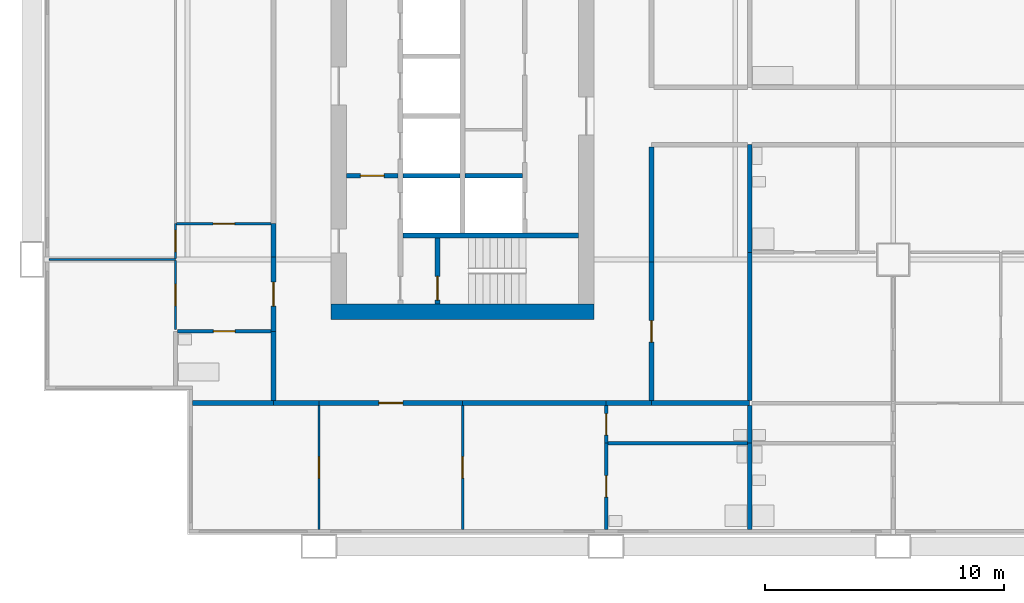
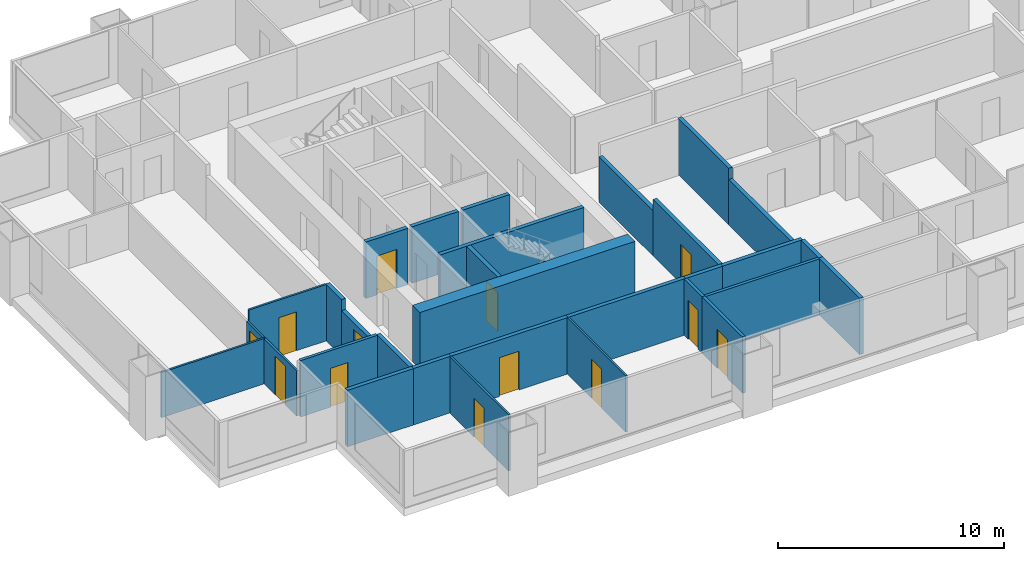
# One storey, part 2 of 11: 31 walls, 13 doors, 13 openings.
"""IFC4 building model written with IfcOpenShell, lengths in metres."""

from ifc_helpers import new_model, si_unit, direction, frame, frame_2d, origin, place, context, subcontext, project, spatial, rectangle, extrude, material, layer, layer_set, type_object, element, fill, save


model = new_model("IFC4")

# Units and contexts
model_context = context("Model", 3, precision=1e-05, world=origin(), true_north=direction((0.0, 1.0)))
body_context = subcontext(model_context, "Body", "Model", "MODEL_VIEW")
ifc_project = project(units=[si_unit("LENGTHUNIT", "METRE"), si_unit("AREAUNIT", "SQUARE_METRE"), si_unit("VOLUMEUNIT", "CUBIC_METRE"), si_unit("PLANEANGLEUNIT", "RADIAN"), si_unit("MASSUNIT", "GRAM", prefix="KILO")], contexts=[model_context])

# Site, building, storey
site_placement = place(None, origin())
site = spatial("IfcSite", under=ifc_project, at=site_placement, CompositionType="ELEMENT")
building_placement = place(site_placement, origin())
building = spatial("IfcBuilding", under=site, at=building_placement, Name="Kitamizu Gate Tower and Museum", CompositionType="ELEMENT")
storey_placement = place(building_placement, frame((0.0, 0.0, 106.949951171875)))
storey = spatial("IfcBuildingStorey", under=building, at=storey_placement, Name="L27", CompositionType="ELEMENT", Elevation=106.949951171875)

# Wall
ifc_material_1 = material(Name="Concrete Fc60", Category="concrete")
ifc_layer_1 = layer(ifc_material_1, 0.64990234375)
ifc_layer_set_1 = layer_set([ifc_layer_1], Name="Concrete Fc60")
wall_type_1 = type_object("IfcWallType", Name="Core wall 650", PredefinedType="SHEAR", material=ifc_layer_set_1)
wall_1_placement = place(storey_placement, frame((12.5, 21.824951171875, 0.0), z_axis=(0.0, 0.0, 1.0), x_axis=(1.0, 0.0, 0.0)))
element("IfcWall", 1, at=wall_1_placement, inside=storey, type_object=wall_type_1, Name="Core wall WS", PredefinedType="SHEAR", context=body_context, shape_type="SweptSolid", body=[
    extrude(rectangle(XDim=11.0, YDim=0.64990234375, at=frame_2d((5.5, 0.0))), origin(), (0.0, 0.0, 1.0), 3.050048828125),
])

# Wall, opening, door
ifc_material_2 = material(Name="Gypsum board on galvanised stud")
ifc_layer_2 = layer(ifc_material_2, 0.10009765625)
ifc_layer_set_2 = layer_set([ifc_layer_2], Name="Gypsum board on galvanised stud")
wall_type_2 = type_object("IfcWallType", Name="Partition 100 NOT RATED", PredefinedType="PARTITIONING", material=ifc_layer_set_2)
wall_2_placement = place(storey_placement, frame((12.0, 12.719970703125, 0.0), z_axis=(0.0, 0.0, 1.0), x_axis=(0.0, 1.0, 0.0)))
wall_2 = element("IfcWall", 2, at=wall_2_placement, inside=storey, type_object=wall_type_2, Name="Partition L27-001", PredefinedType="PARTITIONING", context=body_context, shape_type="SweptSolid", body=[
    extrude(rectangle(XDim=5.179931640625, YDim=0.10009765625, at=frame_2d((2.58984375, 0.0))), origin(), (0.0, 0.0, 1.0), 3.050048828125),
])
opening_1_placement = place(wall_2_placement, frame((2.139892578125, 0.0, 0.0)))
opening_1 = element("IfcOpeningElement", 3, at=opening_1_placement, cuts=wall_2, Name="Opening L27-002", PredefinedType="OPENING", context=body_context, shape_type="SweptSolid", body=[
    extrude(rectangle(XDim=0.89990234375, YDim=2.10009765625, at=frame_2d((0.449951171875, 1.050048828125))), frame((0.0, 0.06005859375, 0.0), z_axis=(0.0, -1.0, 0.0), x_axis=(1.0, 0.0, 0.0)), (0.0, 0.0, 1.0), 0.1201171875),
])
ifc_material_3 = material(Name="Timber door set", Category="wood")
door_type_1 = type_object("IfcDoorType", Name="Room door 900", OperationType="NOTDEFINED", PredefinedType="DOOR", material=ifc_material_3)
door_1_placement = place(opening_1_placement, origin())
door_1 = element("IfcDoor", 4, at=door_1_placement, inside=storey, type_object=door_type_1, Name="Door L27-002", OperationType="SINGLE_SWING_LEFT", OverallHeight=2.10009765625, OverallWidth=0.89990234375, PredefinedType="DOOR", context=body_context, shape_type="SweptSolid", body=[
    extrude(rectangle(XDim=0.89990234375, YDim=2.10009765625, at=frame_2d((0.449951171875, 1.050048828125))), frame((0.0, 0.02490234375, 0.0), z_axis=(0.0, -1.0, 0.0), x_axis=(1.0, 0.0, 0.0)), (0.0, 0.0, 1.0), 0.050048828125),
])
fill(opening_1, door_1)

wall_3_placement = place(storey_placement, frame((18.0, 12.719970703125, 0.0), z_axis=(0.0, 0.0, 1.0), x_axis=(0.0, 1.0, 0.0)))
wall_3 = element("IfcWall", 5, at=wall_3_placement, inside=storey, type_object=wall_type_2, Name="Partition L27-004", PredefinedType="PARTITIONING", context=body_context, shape_type="SweptSolid", body=[
    extrude(rectangle(XDim=5.179931640625, YDim=0.10009765625, at=frame_2d((2.58984375, 0.0))), origin(), (0.0, 0.0, 1.0), 3.050048828125),
])
opening_2_placement = place(wall_3_placement, frame((2.139892578125, 0.0, 0.0)))
opening_2 = element("IfcOpeningElement", 6, at=opening_2_placement, cuts=wall_3, Name="Opening L27-003", PredefinedType="OPENING", context=body_context, shape_type="SweptSolid", body=[
    extrude(rectangle(XDim=0.89990234375, YDim=2.10009765625, at=frame_2d((0.449951171875, 1.050048828125))), frame((0.0, 0.06005859375, 0.0), z_axis=(0.0, -1.0, 0.0), x_axis=(1.0, 0.0, 0.0)), (0.0, 0.0, 1.0), 0.1201171875),
])
door_2_placement = place(opening_2_placement, frame((0.89990234375, 0.0, 0.0), x_axis=(-1.0, 0.0, 0.0)))
door_2 = element("IfcDoor", 7, at=door_2_placement, inside=storey, type_object=door_type_1, Name="Door L27-003", OperationType="SINGLE_SWING_LEFT", OverallHeight=2.10009765625, OverallWidth=0.89990234375, PredefinedType="DOOR", context=body_context, shape_type="SweptSolid", body=[
    extrude(rectangle(XDim=0.89990234375, YDim=2.10009765625, at=frame_2d((0.449951171875, 1.050048828125))), frame((0.0, 0.02490234375, 0.0), z_axis=(0.0, -1.0, 0.0), x_axis=(1.0, 0.0, 0.0)), (0.0, 0.0, 1.0), 0.050048828125),
])
fill(opening_2, door_2)

# Wall
wall_4_placement = place(storey_placement, frame((6.0, 24.0, 0.0), z_axis=(0.0, 0.0, 1.0), x_axis=(-1.0, 0.0, 0.0)))
element("IfcWall", 8, at=wall_4_placement, inside=storey, type_object=wall_type_2, Name="Partition L27-019", PredefinedType="PARTITIONING", context=body_context, shape_type="SweptSolid", body=[
    extrude(rectangle(XDim=5.280029296875, YDim=0.10009765625, at=frame_2d((2.64013671875, 0.0))), origin(), (0.0, 0.0, 1.0), 2.449951171875),
])

# Wall, opening, door
wall_5_placement = place(storey_placement, frame((6.0, 21.074951171875, 0.0), z_axis=(0.0, 0.0, 1.0), x_axis=(0.0, 1.0, 0.0)))
wall_5 = element("IfcWall", 9, at=wall_5_placement, inside=storey, type_object=wall_type_2, Name="Partition L27-021", PredefinedType="PARTITIONING", context=body_context, shape_type="SweptSolid", body=[
    extrude(rectangle(XDim=2.875, YDim=0.10009765625, at=frame_2d((1.4375, 0.0))), origin(), (0.0, 0.0, 1.0), 2.449951171875),
])
opening_3_placement = place(wall_5_placement, frame((0.987548828125, 0.0, 0.0)))
opening_3 = element("IfcOpeningElement", 10, at=opening_3_placement, cuts=wall_5, Name="Opening L27-007", PredefinedType="OPENING", context=body_context, shape_type="SweptSolid", body=[
    extrude(rectangle(XDim=0.89990234375, YDim=2.10009765625, at=frame_2d((0.449951171875, 1.050048828125))), frame((0.0, 0.06005859375, 0.0), z_axis=(0.0, -1.0, 0.0), x_axis=(1.0, 0.0, 0.0)), (0.0, 0.0, 1.0), 0.1201171875),
])
door_3_placement = place(opening_3_placement, origin())
door_3 = element("IfcDoor", 11, at=door_3_placement, inside=storey, type_object=door_type_1, Name="Door L27-007", OperationType="SINGLE_SWING_LEFT", OverallHeight=2.10009765625, OverallWidth=0.89990234375, PredefinedType="DOOR", context=body_context, shape_type="SweptSolid", body=[
    extrude(rectangle(XDim=0.89990234375, YDim=2.10009765625, at=frame_2d((0.449951171875, 1.050048828125))), frame((0.0, 0.02490234375, 0.0), z_axis=(0.0, -1.0, 0.0), x_axis=(1.0, 0.0, 0.0)), (0.0, 0.0, 1.0), 0.050048828125),
])
fill(opening_3, door_3)

wall_6_placement = place(storey_placement, frame((6.0, 24.050048828125, 0.0), z_axis=(0.0, 0.0, 1.0), x_axis=(0.0, 1.0, 0.0)))
wall_6 = element("IfcWall", 12, at=wall_6_placement, inside=storey, type_object=wall_type_2, Name="Partition L27-023", PredefinedType="PARTITIONING", context=body_context, shape_type="SweptSolid", body=[
    extrude(rectangle(XDim=1.449951171875, YDim=0.10009765625, at=frame_2d((0.72509765625, 0.0))), origin(), (0.0, 0.0, 1.0), 2.449951171875),
])
opening_4_placement = place(wall_6_placement, frame((0.27490234375, 0.0, 0.0)))
opening_4 = element("IfcOpeningElement", 13, at=opening_4_placement, cuts=wall_6, Name="Opening L27-008", PredefinedType="OPENING", context=body_context, shape_type="SweptSolid", body=[
    extrude(rectangle(XDim=0.89990234375, YDim=2.10009765625, at=frame_2d((0.449951171875, 1.050048828125))), frame((0.0, 0.06005859375, 0.0), z_axis=(0.0, -1.0, 0.0), x_axis=(1.0, 0.0, 0.0)), (0.0, 0.0, 1.0), 0.1201171875),
])
door_4_placement = place(opening_4_placement, origin())
door_4 = element("IfcDoor", 14, at=door_4_placement, inside=storey, type_object=door_type_1, Name="Door L27-008", OperationType="SINGLE_SWING_RIGHT", OverallHeight=2.10009765625, OverallWidth=0.89990234375, PredefinedType="DOOR", context=body_context, shape_type="SweptSolid", body=[
    extrude(rectangle(XDim=0.89990234375, YDim=2.10009765625, at=frame_2d((0.449951171875, 1.050048828125))), frame((0.0, 0.02490234375, 0.0), z_axis=(0.0, -1.0, 0.0), x_axis=(1.0, 0.0, 0.0)), (0.0, 0.0, 1.0), 0.050048828125),
])
fill(opening_4, door_4)

wall_7_placement = place(storey_placement, frame((10.0, 25.5, 0.0), z_axis=(0.0, 0.0, 1.0), x_axis=(-1.0, 0.0, 0.0)))
wall_7 = element("IfcWall", 15, at=wall_7_placement, inside=storey, type_object=wall_type_2, Name="Partition L27-029", PredefinedType="PARTITIONING", context=body_context, shape_type="SweptSolid", body=[
    extrude(rectangle(XDim=3.949951171875, YDim=0.10009765625, at=frame_2d((1.97509765625, 0.0))), origin(), (0.0, 0.0, 1.0), 3.050048828125),
])
opening_5_placement = place(wall_7_placement, frame((1.52490234375, 0.0, 0.0)))
opening_5 = element("IfcOpeningElement", 16, at=opening_5_placement, cuts=wall_7, Name="Opening L27-009", PredefinedType="OPENING", context=body_context, shape_type="SweptSolid", body=[
    extrude(rectangle(XDim=0.89990234375, YDim=2.10009765625, at=frame_2d((0.449951171875, 1.050048828125))), frame((0.0, 0.06005859375, 0.0), z_axis=(0.0, -1.0, 0.0), x_axis=(1.0, 0.0, 0.0)), (0.0, 0.0, 1.0), 0.1201171875),
])
door_5_placement = place(opening_5_placement, origin())
door_5 = element("IfcDoor", 17, at=door_5_placement, inside=storey, type_object=door_type_1, Name="Door L27-009", OperationType="SINGLE_SWING_LEFT", OverallHeight=2.10009765625, OverallWidth=0.89990234375, PredefinedType="DOOR", context=body_context, shape_type="SweptSolid", body=[
    extrude(rectangle(XDim=0.89990234375, YDim=2.10009765625, at=frame_2d((0.449951171875, 1.050048828125))), frame((0.0, 0.02490234375, 0.0), z_axis=(0.0, -1.0, 0.0), x_axis=(1.0, 0.0, 0.0)), (0.0, 0.0, 1.0), 0.050048828125),
])
fill(opening_5, door_5)

ifc_material_4 = material(Name="Gypsum board on galvanised stud")
ifc_layer_3 = layer(ifc_material_4, 0.14990234375)
ifc_layer_set_3 = layer_set([ifc_layer_3], Name="Gypsum board on galvanised stud")
wall_type_3 = type_object("IfcWallType", Name="Partition 150", PredefinedType="PARTITIONING", material=ifc_layer_set_3)
wall_8_placement = place(storey_placement, frame((24.0, 12.719970703125, 0.0), z_axis=(0.0, 0.0, 1.0), x_axis=(0.0, 1.0, 0.0)))
wall_8 = element("IfcWall", 18, at=wall_8_placement, inside=storey, type_object=wall_type_3, Name="Partition L27-006", PredefinedType="PARTITIONING", context=body_context, shape_type="SweptSolid", body=[
    extrude(rectangle(XDim=3.60009765625, YDim=0.14990234375, at=frame_2d((1.800048828125, 0.0))), origin(), (0.0, 0.0, 1.0), 3.050048828125),
])
opening_6_placement = place(wall_8_placement, frame((1.35009765625, 0.0, 0.0)))
opening_6 = element("IfcOpeningElement", 19, at=opening_6_placement, cuts=wall_8, Name="Opening L27-004", PredefinedType="OPENING", context=body_context, shape_type="SweptSolid", body=[
    extrude(rectangle(XDim=0.89990234375, YDim=2.10009765625, at=frame_2d((0.449951171875, 1.050048828125))), frame((0.0, 0.0849609375, 0.0), z_axis=(0.0, -1.0, 0.0), x_axis=(1.0, 0.0, 0.0)), (0.0, 0.0, 1.0), 0.169921875),
])
ifc_material_5 = material(Name="Timber door set", Category="wood")
door_type_2 = type_object("IfcDoorType", Name="Bathroom door 900", OperationType="NOTDEFINED", PredefinedType="DOOR", material=ifc_material_5)
door_6_placement = place(opening_6_placement, frame((0.89990234375, 0.0, 0.0), x_axis=(-1.0, 0.0, 0.0)))
door_6 = element("IfcDoor", 20, at=door_6_placement, inside=storey, type_object=door_type_2, Name="Bathroom door L27-004", OperationType="SINGLE_SWING_RIGHT", OverallHeight=2.10009765625, OverallWidth=0.89990234375, PredefinedType="DOOR", context=body_context, shape_type="SweptSolid", body=[
    extrude(rectangle(XDim=0.89990234375, YDim=2.10009765625, at=frame_2d((0.449951171875, 1.050048828125))), frame((0.0, 0.02490234375, 0.0), z_axis=(0.0, -1.0, 0.0), x_axis=(1.0, 0.0, 0.0)), (0.0, 0.0, 1.0), 0.050048828125),
])
fill(opening_6, door_6)

wall_9_placement = place(storey_placement, frame((24.0, 16.320068359375, 0.0), z_axis=(0.0, 0.0, 1.0), x_axis=(0.0, 1.0, 0.0)))
wall_9 = element("IfcWall", 21, at=wall_9_placement, inside=storey, type_object=wall_type_3, Name="Partition L27-007", PredefinedType="PARTITIONING", context=body_context, shape_type="SweptSolid", body=[
    extrude(rectangle(XDim=1.579833984375, YDim=0.14990234375, at=frame_2d((0.7900390625, 0.0))), origin(), (0.0, 0.0, 1.0), 3.050048828125),
])
opening_7_placement = place(wall_9_placement, frame((0.340087890625, 0.0, 0.0)))
opening_7 = element("IfcOpeningElement", 22, at=opening_7_placement, cuts=wall_9, Name="Opening L27-005", PredefinedType="OPENING", context=body_context, shape_type="SweptSolid", body=[
    extrude(rectangle(XDim=0.89990234375, YDim=2.10009765625, at=frame_2d((0.449951171875, 1.050048828125))), frame((0.0, 0.0849609375, 0.0), z_axis=(0.0, -1.0, 0.0), x_axis=(1.0, 0.0, 0.0)), (0.0, 0.0, 1.0), 0.169921875),
])
door_7_placement = place(opening_7_placement, frame((0.89990234375, 0.0, 0.0), x_axis=(-1.0, 0.0, 0.0)))
door_7 = element("IfcDoor", 23, at=door_7_placement, inside=storey, type_object=door_type_2, Name="Bathroom door L27-005", OperationType="SINGLE_SWING_LEFT", OverallHeight=2.10009765625, OverallWidth=0.89990234375, PredefinedType="DOOR", context=body_context, shape_type="SweptSolid", body=[
    extrude(rectangle(XDim=0.89990234375, YDim=2.10009765625, at=frame_2d((0.449951171875, 1.050048828125))), frame((0.0, 0.02490234375, 0.0), z_axis=(0.0, -1.0, 0.0), x_axis=(1.0, 0.0, 0.0)), (0.0, 0.0, 1.0), 0.050048828125),
])
fill(opening_7, door_7)

# Wall
wall_10_placement = place(storey_placement, frame((29.89990234375, 16.320068359375, 0.0), z_axis=(0.0, 0.0, 1.0), x_axis=(-1.0, 0.0, 0.0)))
element("IfcWall", 24, at=wall_10_placement, inside=storey, type_object=wall_type_3, Name="Partition L27-009", PredefinedType="PARTITIONING", context=body_context, shape_type="SweptSolid", body=[
    extrude(rectangle(XDim=5.824951171875, YDim=0.14990234375, at=frame_2d((2.91259765625, 0.0))), origin(), (0.0, 0.0, 1.0), 3.050048828125),
])

# Wall, opening, door
wall_11_placement = place(storey_placement, frame((10.0, 21.0, 0.0), z_axis=(0.0, 0.0, 1.0), x_axis=(-1.0, 0.0, 0.0)))
wall_11 = element("IfcWall", 25, at=wall_11_placement, inside=storey, type_object=wall_type_3, Name="Partition L27-027", PredefinedType="PARTITIONING", context=body_context, shape_type="SweptSolid", body=[
    extrude(rectangle(XDim=3.925048828125, YDim=0.14990234375, at=frame_2d((1.96240234375, 0.0))), origin(), (0.0, 0.0, 1.0), 3.050048828125),
])
opening_8_placement = place(wall_11_placement, frame((1.512451171875, 0.0, 0.0)))
opening_8 = element("IfcOpeningElement", 26, at=opening_8_placement, cuts=wall_11, Name="Opening L27-011", PredefinedType="OPENING", context=body_context, shape_type="SweptSolid", body=[
    extrude(rectangle(XDim=0.89990234375, YDim=2.10009765625, at=frame_2d((0.449951171875, 1.050048828125))), frame((0.0, 0.0849609375, 0.0), z_axis=(0.0, -1.0, 0.0), x_axis=(1.0, 0.0, 0.0)), (0.0, 0.0, 1.0), 0.169921875),
])
door_8_placement = place(opening_8_placement, origin())
door_8 = element("IfcDoor", 27, at=door_8_placement, inside=storey, type_object=door_type_2, Name="Bathroom door L27-011", OperationType="SINGLE_SWING_LEFT", OverallHeight=2.10009765625, OverallWidth=0.89990234375, PredefinedType="DOOR", context=body_context, shape_type="SweptSolid", body=[
    extrude(rectangle(XDim=0.89990234375, YDim=2.10009765625, at=frame_2d((0.449951171875, 1.050048828125))), frame((0.0, 0.02490234375, 0.0), z_axis=(0.0, -1.0, 0.0), x_axis=(1.0, 0.0, 0.0)), (0.0, 0.0, 1.0), 0.050048828125),
])
fill(opening_8, door_8)

# Walls
ifc_material_6 = material(Name="Gypsum board on galvanised stud")
ifc_layer_4 = layer(ifc_material_6, 0.199951171875)
ifc_layer_set_4 = layer_set([ifc_layer_4], Name="Gypsum board on galvanised stud")
wall_type_4 = type_object("IfcWallType", Name="Partition 200", PredefinedType="PARTITIONING", material=ifc_layer_set_4)
wall_12_placement = place(storey_placement, frame((10.10009765625, 18.0, 0.0), z_axis=(0.0, 0.0, 1.0), x_axis=(-1.0, 0.0, 0.0)))
element("IfcWall", 28, at=wall_12_placement, inside=storey, type_object=wall_type_4, Name="Partition L27-002", PredefinedType="PARTITIONING", context=body_context, shape_type="SweptSolid", body=[
    extrude(rectangle(XDim=3.380126953125, YDim=0.199951171875, at=frame_2d((1.68994140625, 0.0))), origin(), (0.0, 0.0, 1.0), 3.050048828125),
])
wall_13_placement = place(storey_placement, frame((12.0, 18.0, 0.0), z_axis=(0.0, 0.0, 1.0), x_axis=(-1.0, 0.0, 0.0)))
element("IfcWall", 29, at=wall_13_placement, inside=storey, type_object=wall_type_4, Name="Partition L27-003", PredefinedType="PARTITIONING", context=body_context, shape_type="SweptSolid", body=[
    extrude(rectangle(XDim=1.89990234375, YDim=0.199951171875, at=frame_2d((0.949951171875, 0.0))), origin(), (0.0, 0.0, 1.0), 3.050048828125),
])

# Wall, opening, door
wall_14_placement = place(storey_placement, frame((18.0, 18.0, 0.0), z_axis=(0.0, 0.0, 1.0), x_axis=(-1.0, 0.0, 0.0)))
wall_14 = element("IfcWall", 30, at=wall_14_placement, inside=storey, type_object=wall_type_4, Name="Partition L27-005", PredefinedType="PARTITIONING", context=body_context, shape_type="SweptSolid", body=[
    extrude(rectangle(XDim=6.0, YDim=0.199951171875, at=frame_2d((3.0, 0.0))), origin(), (0.0, 0.0, 1.0), 3.050048828125),
])
opening_9_placement = place(wall_14_placement, frame((2.5, 0.0, 0.0)))
opening_9 = element("IfcOpeningElement", 31, at=opening_9_placement, cuts=wall_14, Name="Opening L27-001", PredefinedType="OPENING", context=body_context, shape_type="SweptSolid", body=[
    extrude(rectangle(XDim=1.0, YDim=2.10009765625, at=frame_2d((0.5, 1.050048828125))), frame((0.0, 0.10986328125, 0.0), z_axis=(0.0, -1.0, 0.0), x_axis=(1.0, 0.0, 0.0)), (0.0, 0.0, 1.0), 0.219970703125),
])
ifc_material_7 = material(Name="Timber door set", Category="wood")
door_type_3 = type_object("IfcDoorType", Name="Flat entrance door 1000", OperationType="NOTDEFINED", PredefinedType="DOOR", material=ifc_material_7)
door_9_placement = place(opening_9_placement, origin())
door_9 = element("IfcDoor", 32, at=door_9_placement, inside=storey, type_object=door_type_3, Name="Flat entrance door L27-001", OperationType="SINGLE_SWING_RIGHT", OverallHeight=2.10009765625, OverallWidth=1.0, PredefinedType="DOOR", context=body_context, shape_type="SweptSolid", body=[
    extrude(rectangle(XDim=1.0, YDim=2.10009765625, at=frame_2d((0.5, 1.050048828125))), frame((0.0, 0.02490234375, 0.0), z_axis=(0.0, -1.0, 0.0), x_axis=(1.0, 0.0, 0.0)), (0.0, 0.0, 1.0), 0.050048828125),
])
fill(opening_9, door_9)

# Walls
wall_15_placement = place(storey_placement, frame((24.0, 18.0, 0.0), z_axis=(0.0, 0.0, 1.0), x_axis=(-1.0, 0.0, 0.0)))
element("IfcWall", 33, at=wall_15_placement, inside=storey, type_object=wall_type_4, Name="Partition L27-008", PredefinedType="PARTITIONING", context=body_context, shape_type="SweptSolid", body=[
    extrude(rectangle(XDim=6.0, YDim=0.199951171875, at=frame_2d((3.0, 0.0))), origin(), (0.0, 0.0, 1.0), 3.050048828125),
])
wall_16_placement = place(storey_placement, frame((30.0, 12.719970703125, 0.0), z_axis=(0.0, 0.0, 1.0), x_axis=(0.0, 1.0, 0.0)))
element("IfcWall", 34, at=wall_16_placement, inside=storey, type_object=wall_type_4, Name="Partition L27-010", PredefinedType="PARTITIONING", context=body_context, shape_type="SweptSolid", body=[
    extrude(rectangle(XDim=3.60009765625, YDim=0.199951171875, at=frame_2d((1.800048828125, 0.0))), origin(), (0.0, 0.0, 1.0), 3.050048828125),
])
wall_17_placement = place(storey_placement, frame((30.0, 18.0, 0.0), z_axis=(0.0, 0.0, 1.0), x_axis=(-1.0, 0.0, 0.0)))
element("IfcWall", 35, at=wall_17_placement, inside=storey, type_object=wall_type_4, Name="Partition L27-011", PredefinedType="PARTITIONING", context=body_context, shape_type="SweptSolid", body=[
    extrude(rectangle(XDim=4.10009765625, YDim=0.199951171875, at=frame_2d((2.050048828125, 0.0))), origin(), (0.0, 0.0, 1.0), 3.050048828125),
])
wall_18_placement = place(storey_placement, frame((30.0, 16.320068359375, 0.0), z_axis=(0.0, 0.0, 1.0), x_axis=(0.0, 1.0, 0.0)))
element("IfcWall", 36, at=wall_18_placement, inside=storey, type_object=wall_type_4, Name="Partition L27-012", PredefinedType="PARTITIONING", context=body_context, shape_type="SweptSolid", body=[
    extrude(rectangle(XDim=1.579833984375, YDim=0.199951171875, at=frame_2d((0.7900390625, 0.0))), origin(), (0.0, 0.0, 1.0), 3.050048828125),
])
wall_19_placement = place(storey_placement, frame((25.89990234375, 18.0, 0.0), z_axis=(0.0, 0.0, 1.0), x_axis=(-1.0, 0.0, 0.0)))
element("IfcWall", 37, at=wall_19_placement, inside=storey, type_object=wall_type_4, Name="Partition L27-013", PredefinedType="PARTITIONING", context=body_context, shape_type="SweptSolid", body=[
    extrude(rectangle(XDim=1.89990234375, YDim=0.199951171875, at=frame_2d((0.949951171875, 0.0))), origin(), (0.0, 0.0, 1.0), 3.050048828125),
])
wall_20_placement = place(storey_placement, frame((30.0, 18.10009765625, 0.0), z_axis=(0.0, 0.0, 1.0), x_axis=(0.0, 1.0, 0.0)))
element("IfcWall", 38, at=wall_20_placement, inside=storey, type_object=wall_type_4, Name="Partition L27-014", PredefinedType="PARTITIONING", context=body_context, shape_type="SweptSolid", body=[
    extrude(rectangle(XDim=6.199951171875, YDim=0.199951171875, at=frame_2d((3.10009765625, 0.0))), origin(), (0.0, 0.0, 1.0), 2.449951171875),
])
wall_21_placement = place(storey_placement, frame((30.0, 24.300048828125, 0.0), z_axis=(0.0, 0.0, 1.0), x_axis=(0.0, 1.0, 0.0)))
element("IfcWall", 39, at=wall_21_placement, inside=storey, type_object=wall_type_4, Name="Partition L27-015", PredefinedType="PARTITIONING", context=body_context, shape_type="SweptSolid", body=[
    extrude(rectangle(XDim=4.5, YDim=0.199951171875, at=frame_2d((2.25, 0.0))), origin(), (0.0, 0.0, 1.0), 3.050048828125),
])
wall_22_placement = place(storey_placement, frame((25.89990234375, 28.699951171875, 0.0), z_axis=(0.0, 0.0, 1.0), x_axis=(0.0, -1.0, 0.0)))
element("IfcWall", 40, at=wall_22_placement, inside=storey, type_object=wall_type_4, Name="Partition L27-017", PredefinedType="PARTITIONING", context=body_context, shape_type="SweptSolid", body=[
    extrude(rectangle(XDim=4.800048828125, YDim=0.199951171875, at=frame_2d((2.39990234375, 0.0))), origin(), (0.0, 0.0, 1.0), 2.449951171875),
])

# Wall, opening, door
wall_23_placement = place(storey_placement, frame((25.89990234375, 23.89990234375, 0.0), z_axis=(0.0, 0.0, 1.0), x_axis=(0.0, -1.0, 0.0)))
wall_23 = element("IfcWall", 41, at=wall_23_placement, inside=storey, type_object=wall_type_4, Name="Partition L27-018", PredefinedType="PARTITIONING", context=body_context, shape_type="SweptSolid", body=[
    extrude(rectangle(XDim=5.7998046875, YDim=0.199951171875, at=frame_2d((2.89990234375, 0.0))), origin(), (0.0, 0.0, 1.0), 3.050048828125),
])
opening_10_placement = place(wall_23_placement, frame((2.449951171875, 0.0, 0.0)))
opening_10 = element("IfcOpeningElement", 42, at=opening_10_placement, cuts=wall_23, Name="Opening L27-051", PredefinedType="OPENING", context=body_context, shape_type="SweptSolid", body=[
    extrude(rectangle(XDim=0.89990234375, YDim=2.10009765625, at=frame_2d((0.449951171875, 1.050048828125))), frame((0.0, 0.10986328125, 0.0), z_axis=(0.0, -1.0, 0.0), x_axis=(1.0, 0.0, 0.0)), (0.0, 0.0, 1.0), 0.219970703125),
])
door_10_placement = place(opening_10_placement, origin())
door_10 = element("IfcDoor", 43, at=door_10_placement, inside=storey, type_object=door_type_1, Name="Door L27-051", OperationType="SINGLE_SWING_RIGHT", OverallHeight=2.10009765625, OverallWidth=0.89990234375, PredefinedType="DOOR", context=body_context, shape_type="SweptSolid", body=[
    extrude(rectangle(XDim=0.89990234375, YDim=2.10009765625, at=frame_2d((0.449951171875, 1.050048828125))), frame((0.0, 0.02490234375, 0.0), z_axis=(0.0, -1.0, 0.0), x_axis=(1.0, 0.0, 0.0)), (0.0, 0.0, 1.0), 0.050048828125),
])
fill(opening_10, door_10)

# Wall
wall_24_placement = place(storey_placement, frame((10.10009765625, 18.10009765625, 0.0), z_axis=(0.0, 0.0, 1.0), x_axis=(0.0, 1.0, 0.0)))
element("IfcWall", 44, at=wall_24_placement, inside=storey, type_object=wall_type_4, Name="Partition L27-028", PredefinedType="PARTITIONING", context=body_context, shape_type="SweptSolid", body=[
    extrude(rectangle(XDim=2.89990234375, YDim=0.199951171875, at=frame_2d((1.449951171875, 0.0))), origin(), (0.0, 0.0, 1.0), 3.050048828125),
])

# Wall, opening, door
wall_25_placement = place(storey_placement, frame((10.10009765625, 21.0, 0.0), z_axis=(0.0, 0.0, 1.0), x_axis=(0.0, 1.0, 0.0)))
wall_25 = element("IfcWall", 45, at=wall_25_placement, inside=storey, type_object=wall_type_4, Name="Partition L27-030", PredefinedType="PARTITIONING", context=body_context, shape_type="SweptSolid", body=[
    extrude(rectangle(XDim=3.10009765625, YDim=0.199951171875, at=frame_2d((1.550048828125, 0.0))), origin(), (0.0, 0.0, 1.0), 2.449951171875),
])
opening_11_placement = place(wall_25_placement, frame((1.050048828125, 0.0, 0.0)))
opening_11 = element("IfcOpeningElement", 46, at=opening_11_placement, cuts=wall_25, Name="Opening L27-006", PredefinedType="OPENING", context=body_context, shape_type="SweptSolid", body=[
    extrude(rectangle(XDim=1.0, YDim=2.10009765625, at=frame_2d((0.5, 1.050048828125))), frame((0.0, 0.10986328125, 0.0), z_axis=(0.0, -1.0, 0.0), x_axis=(1.0, 0.0, 0.0)), (0.0, 0.0, 1.0), 0.219970703125),
])
door_11_placement = place(opening_11_placement, origin())
door_11 = element("IfcDoor", 47, at=door_11_placement, inside=storey, type_object=door_type_3, Name="Flat entrance door L27-006", OperationType="SINGLE_SWING_RIGHT", OverallHeight=2.10009765625, OverallWidth=1.0, PredefinedType="DOOR", context=body_context, shape_type="SweptSolid", body=[
    extrude(rectangle(XDim=1.0, YDim=2.10009765625, at=frame_2d((0.5, 1.050048828125))), frame((0.0, 0.02490234375, 0.0), z_axis=(0.0, -1.0, 0.0), x_axis=(1.0, 0.0, 0.0)), (0.0, 0.0, 1.0), 0.050048828125),
])
fill(opening_11, door_11)

# Walls
wall_26_placement = place(storey_placement, frame((10.10009765625, 24.10009765625, 0.0), z_axis=(0.0, 0.0, 1.0), x_axis=(0.0, 1.0, 0.0)))
element("IfcWall", 48, at=wall_26_placement, inside=storey, type_object=wall_type_4, Name="Partition L27-031", PredefinedType="PARTITIONING", context=body_context, shape_type="SweptSolid", body=[
    extrude(rectangle(XDim=1.39990234375, YDim=0.199951171875, at=frame_2d((0.699951171875, 0.0))), origin(), (0.0, 0.0, 1.0), 3.050048828125),
])
ifc_material_8 = material(Name="Concrete Fc42", Category="concrete")
ifc_layer_5 = layer(ifc_material_8, 0.199951171875)
ifc_layer_set_5 = layer_set([ifc_layer_5], Name="Concrete Fc42")
wall_type_5 = type_object("IfcWallType", Name="Shaft wall 200", PredefinedType="SOLIDWALL", material=ifc_layer_set_5)
wall_27_placement = place(storey_placement, frame((15.5, 25.0, 0.0), z_axis=(0.0, 0.0, 1.0), x_axis=(1.0, 0.0, 0.0)))
element("IfcWall", 49, at=wall_27_placement, inside=storey, type_object=wall_type_5, Name="Shaft wall WSB", PredefinedType="SOLIDWALL", context=body_context, shape_type="SweptSolid", body=[
    extrude(rectangle(XDim=7.35009765625, YDim=0.199951171875, at=frame_2d((3.675048828125, 0.0))), origin(), (0.0, 0.0, 1.0), 3.050048828125),
])

# Wall, opening, door
wall_28_placement = place(storey_placement, frame((13.14990234375, 27.5, 0.0), z_axis=(0.0, 0.0, 1.0), x_axis=(1.0, 0.0, 0.0)))
wall_28 = element("IfcWall", 50, at=wall_28_placement, inside=storey, type_object=wall_type_5, Name="Shaft wall WFFN", PredefinedType="SOLIDWALL", context=body_context, shape_type="SweptSolid", body=[
    extrude(rectangle(XDim=2.150146484375, YDim=0.199951171875, at=frame_2d((1.0751953125, 0.0))), origin(), (0.0, 0.0, 1.0), 3.050048828125),
])
opening_12_placement = place(wall_28_placement, frame((0.574951171875, 0.0, 0.0)))
opening_12 = element("IfcOpeningElement", 51, at=opening_12_placement, cuts=wall_28, Name="Opening L27-057", PredefinedType="OPENING", context=body_context, shape_type="SweptSolid", body=[
    extrude(rectangle(XDim=1.0, YDim=2.10009765625, at=frame_2d((0.5, 1.050048828125))), frame((0.0, 0.10986328125, 0.0), z_axis=(0.0, -1.0, 0.0), x_axis=(1.0, 0.0, 0.0)), (0.0, 0.0, 1.0), 0.219970703125),
])
ifc_material_9 = material(Name="Hollow metal door set")
door_type_4 = type_object("IfcDoorType", Name="Fire door 1000", OperationType="NOTDEFINED", PredefinedType="DOOR", material=ifc_material_9)
door_12_placement = place(opening_12_placement, frame((1.0, 0.0, 0.0), x_axis=(-1.0, 0.0, 0.0)))
door_12 = element("IfcDoor", 52, at=door_12_placement, inside=storey, type_object=door_type_4, Name="Fire-fighting lobby door L27-057", OperationType="SINGLE_SWING_LEFT", OverallHeight=2.10009765625, OverallWidth=1.0, PredefinedType="DOOR", context=body_context, shape_type="SweptSolid", body=[
    extrude(rectangle(XDim=1.0, YDim=2.10009765625, at=frame_2d((0.5, 1.050048828125))), frame((0.0, 0.02490234375, 0.0), z_axis=(0.0, -1.0, 0.0), x_axis=(1.0, 0.0, 0.0)), (0.0, 0.0, 1.0), 0.050048828125),
])
fill(opening_12, door_12)

wall_29_placement = place(storey_placement, frame((16.949951171875, 22.14990234375, 0.0), z_axis=(0.0, 0.0, 1.0), x_axis=(0.0, 1.0, 0.0)))
wall_29 = element("IfcWall", 53, at=wall_29_placement, inside=storey, type_object=wall_type_5, Name="Shaft wall WSZ", PredefinedType="SOLIDWALL", context=body_context, shape_type="SweptSolid", body=[
    extrude(rectangle(XDim=2.75, YDim=0.199951171875, at=frame_2d((1.375, 0.0))), origin(), (0.0, 0.0, 1.0), 3.050048828125),
])
opening_13_placement = place(wall_29_placement, frame((0.14990234375, 0.0, 0.0)))
opening_13 = element("IfcOpeningElement", 54, at=opening_13_placement, cuts=wall_29, Name="Opening L27-053", PredefinedType="OPENING", context=body_context, shape_type="SweptSolid", body=[
    extrude(rectangle(XDim=1.0, YDim=2.10009765625, at=frame_2d((0.5, 1.050048828125))), frame((0.0, 0.10986328125, 0.0), z_axis=(0.0, -1.0, 0.0), x_axis=(1.0, 0.0, 0.0)), (0.0, 0.0, 1.0), 0.219970703125),
])
door_13_placement = place(opening_13_placement, frame((1.0, 0.0, 0.0), x_axis=(-1.0, 0.0, 0.0)))
door_13 = element("IfcDoor", 55, at=door_13_placement, inside=storey, type_object=door_type_4, Name="Stair door L27-053", OperationType="SINGLE_SWING_LEFT", OverallHeight=2.10009765625, OverallWidth=1.0, PredefinedType="DOOR", context=body_context, shape_type="SweptSolid", body=[
    extrude(rectangle(XDim=1.0, YDim=2.10009765625, at=frame_2d((0.5, 1.050048828125))), frame((0.0, 0.02490234375, 0.0), z_axis=(0.0, -1.0, 0.0), x_axis=(1.0, 0.0, 0.0)), (0.0, 0.0, 1.0), 0.050048828125),
])
fill(opening_13, door_13)

# Walls
for number, where, z_axis, x_axis, name in (
    (56, (15.5, 27.5, 0.0), (0.0, 0.0, 1.0), (1.0, 0.0, 0.0), "Shaft wall WDVW0"),
    (57, (18.10009765625, 27.5, 0.0), (0.0, 0.0, 1.0), (1.0, 0.0, 0.0), "Shaft wall WDVE0"),
):
    element("IfcWall", number, at=place(storey_placement, frame(where, z_axis=z_axis, x_axis=x_axis)), inside=storey, type_object=wall_type_5, Name=name, PredefinedType="SOLIDWALL", context=body_context, shape_type="SweptSolid", body=[
        extrude(rectangle(XDim=2.39990234375, YDim=0.199951171875, at=frame_2d((1.199951171875, 0.0))), origin(), (0.0, 0.0, 1.0), 3.050048828125),
    ])

save(model, "model.ifc")
